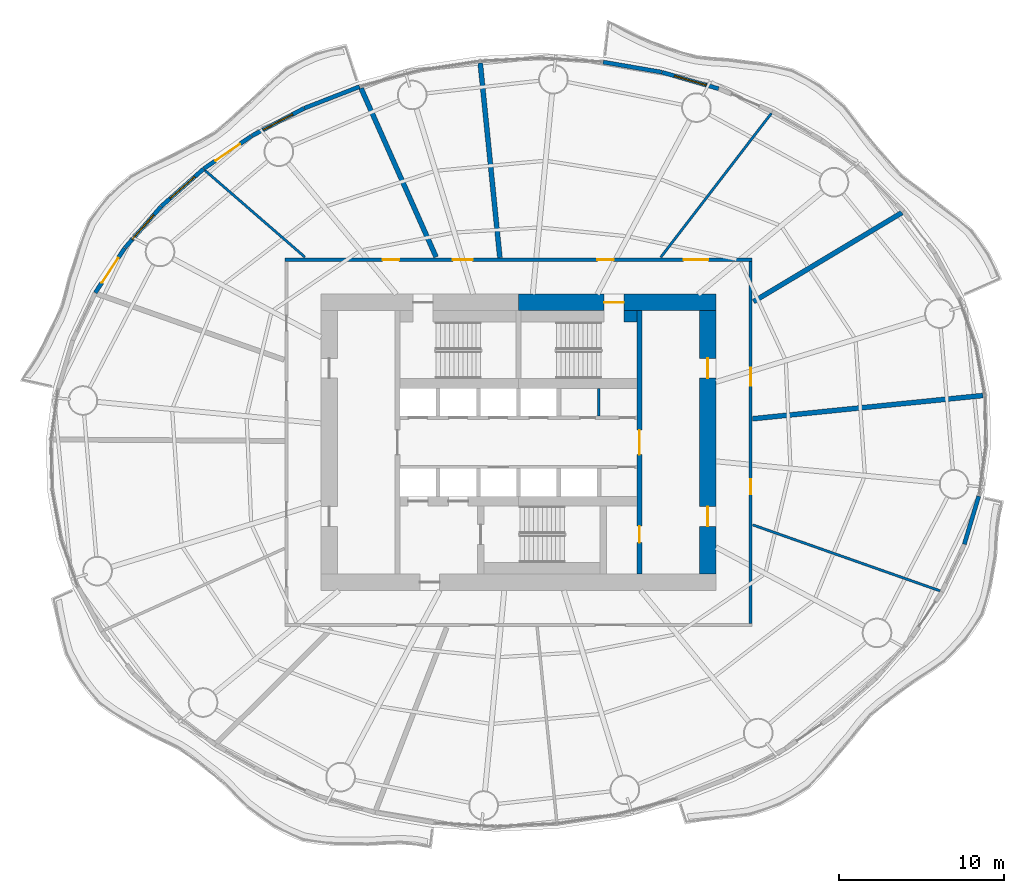
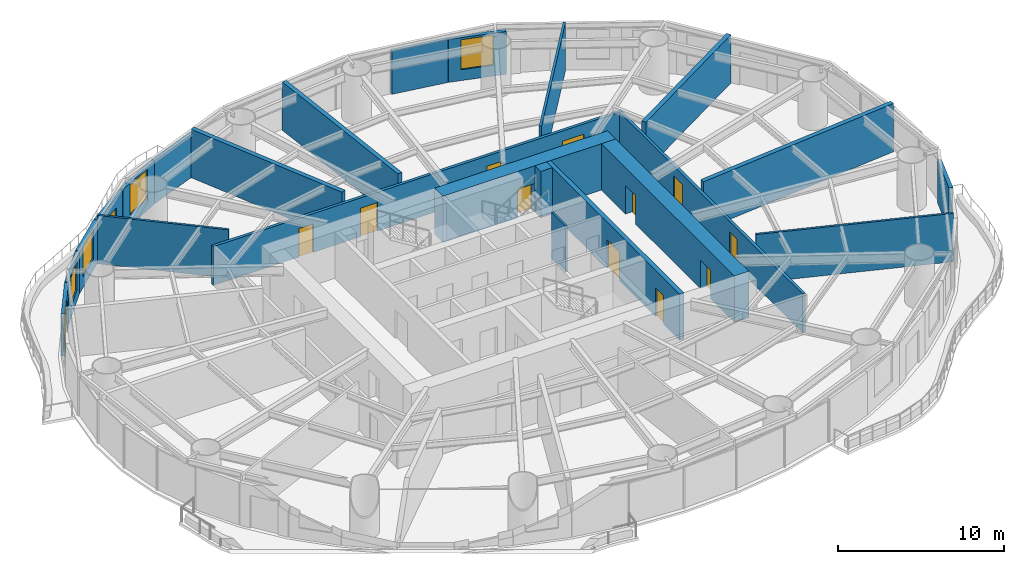
# One storey, part 10 of 16: 23 walls, 13 doors, 4 windows, 17 openings.
"""IFC4 building model written with IfcOpenShell, lengths in metres."""

from ifc_helpers import new_model, si_unit, direction, frame, frame_2d, origin, place, context, subcontext, project, spatial, rectangle, extrude, material, layer, layer_set, type_object, element, fill, save


model = new_model("IFC4")

# Units and contexts
model_context = context("Model", 3, precision=1e-05, world=origin(), true_north=direction((0.0, 1.0)))
body_context = subcontext(model_context, "Body", "Model", "MODEL_VIEW")
ifc_project = project(units=[si_unit("LENGTHUNIT", "METRE"), si_unit("AREAUNIT", "SQUARE_METRE"), si_unit("VOLUMEUNIT", "CUBIC_METRE"), si_unit("PLANEANGLEUNIT", "RADIAN"), si_unit("MASSUNIT", "GRAM", prefix="KILO")], contexts=[model_context])

# Site, building, storey
site_placement = place(None, origin())
site = spatial("IfcSite", under=ifc_project, at=site_placement, CompositionType="ELEMENT")
building_placement = place(site_placement, origin())
building = spatial("IfcBuilding", under=site, at=building_placement, Name="Vermilion Reach Broadcast Tower", CompositionType="ELEMENT")
storey_placement = place(building_placement, frame((0.0, 0.0, 58.199951171875)))
storey = spatial("IfcBuildingStorey", under=building, at=storey_placement, Name="L11", CompositionType="ELEMENT", Elevation=58.199951171875)

# Wall, openings, doors
ifc_material_1 = material(Name="Concrete C70", Category="concrete")
ifc_layer_1 = layer(ifc_material_1, 0.300048828125)
ifc_layer_set_1 = layer_set([ifc_layer_1], Name="Core inner wall 300 mm Concrete C70")
wall_type_1 = type_object("IfcWallType", Name="Core inner wall 300 mm Concrete C70", PredefinedType="SHEAR", material=ifc_layer_set_1)
wall_1_placement = place(storey_placement, frame((1.35009765625, -8.0, 0.0), z_axis=(0.0, 0.0, 1.0), x_axis=(0.0, 1.0, 0.0)))
wall_1 = element("IfcWall", 1, at=wall_1_placement, inside=storey, type_object=wall_type_1, Name="L11 core wall ewE", PredefinedType="SHEAR", context=body_context, shape_type="SweptSolid", body=[
    extrude(rectangle(XDim=16.0, YDim=0.300048828125, at=frame_2d((8.0, 0.0))), origin(), (0.0, 0.0, 1.0), 3.400146484375),
])
opening_1_placement = place(wall_1_placement, frame((1.909912109375, 0.0, 0.0)))
opening_1 = element("IfcOpeningElement", 2, at=opening_1_placement, cuts=wall_1, Name="Opening D05", PredefinedType="OPENING", context=body_context, shape_type="SweptSolid", body=[
    extrude(rectangle(XDim=1.0, YDim=2.10009765625, at=frame_2d((0.5, 1.050048828125))), frame((0.0, 0.159912109375, 0.0), z_axis=(0.0, -1.0, 0.0), x_axis=(1.0, 0.0, 0.0)), (0.0, 0.0, 1.0), 0.320068359375),
])
opening_2_placement = place(wall_1_placement, frame((7.25, 0.0, 0.0)))
opening_2 = element("IfcOpeningElement", 3, at=opening_2_placement, cuts=wall_1, Name="Opening D04", PredefinedType="OPENING", context=body_context, shape_type="SweptSolid", body=[
    extrude(rectangle(XDim=1.5, YDim=2.10009765625, at=frame_2d((0.75, 1.050048828125))), frame((0.0, 0.159912109375, 0.0), z_axis=(0.0, -1.0, 0.0), x_axis=(1.0, 0.0, 0.0)), (0.0, 0.0, 1.0), 0.320068359375),
])
ifc_material_2 = material(Name="Painted steel fire door", Category="steel")
door_type_1 = type_object("IfcDoorType", Name="Lift lobby door 1500 x 2100", OperationType="DOUBLE_DOOR_SINGLE_SWING", PredefinedType="NOTDEFINED", material=ifc_material_2)
door_1_placement = place(opening_2_placement, origin())
door_1 = element("IfcDoor", 4, at=door_1_placement, inside=storey, type_object=door_type_1, Name="L11 band door BE", OperationType="DOUBLE_DOOR_SINGLE_SWING", OverallHeight=2.10009765625, OverallWidth=1.5, PredefinedType="NOTDEFINED", context=body_context, shape_type="SweptSolid", body=[
    extrude(rectangle(XDim=1.5, YDim=2.10009765625, at=frame_2d((0.75, 1.050048828125))), frame((0.0, 0.02490234375, 0.0), z_axis=(0.0, -1.0, 0.0), x_axis=(1.0, 0.0, 0.0)), (0.0, 0.0, 1.0), 0.050048828125),
])
fill(opening_2, door_1)
ifc_material_3 = material(Name="Timber door", Category="wood")
door_type_2 = type_object("IfcDoorType", Name="Room door 1000 x 2100", OperationType="NOTDEFINED", PredefinedType="NOTDEFINED", material=ifc_material_3)
door_2_placement = place(opening_1_placement, origin())
door_2 = element("IfcDoor", 5, at=door_2_placement, inside=storey, type_object=door_type_2, Name="L11 door SER", OperationType="SINGLE_SWING_LEFT", OverallHeight=2.10009765625, OverallWidth=1.0, PredefinedType="NOTDEFINED", context=body_context, shape_type="SweptSolid", body=[
    extrude(rectangle(XDim=1.0, YDim=2.10009765625, at=frame_2d((0.5, 1.050048828125))), frame((0.0, 0.02490234375, 0.0), z_axis=(0.0, -1.0, 0.0), x_axis=(1.0, 0.0, 0.0)), (0.0, 0.0, 1.0), 0.050048828125),
])
fill(opening_1, door_2)

# Wall, opening, door
ifc_material_4 = material(Name="Concrete C70", Category="concrete")
ifc_layer_2 = layer(ifc_material_4, 1.0)
ifc_layer_set_2 = layer_set([ifc_layer_2], Name="Core outer wall 1000 mm Concrete C70")
wall_type_2 = type_object("IfcWallType", Name="Core outer wall 1000 mm Concrete C70", PredefinedType="SHEAR", material=ifc_layer_set_2)
wall_2_placement = place(storey_placement, frame((6.0, 8.5, 0.0), z_axis=(0.0, 0.0, 1.0), x_axis=(-1.0, 0.0, 0.0)))
wall_2 = element("IfcWall", 6, at=wall_2_placement, inside=storey, type_object=wall_type_2, Name="L11 core wall onE", PredefinedType="SHEAR", context=body_context, shape_type="SweptSolid", body=[
    extrude(rectangle(XDim=12.0, YDim=1.0, at=frame_2d((6.0, 0.0))), origin(), (0.0, 0.0, 1.0), 3.400146484375),
])
opening_3_placement = place(wall_2_placement, frame((5.60009765625, 0.0, 0.0)))
opening_3 = element("IfcOpeningElement", 7, at=opening_3_placement, cuts=wall_2, Name="Opening D01", PredefinedType="OPENING", context=body_context, shape_type="SweptSolid", body=[
    extrude(rectangle(XDim=1.199951171875, YDim=2.10009765625, at=frame_2d((0.60009765625, 1.050048828125))), frame((0.0, 0.510009765625, 0.0), z_axis=(0.0, -1.0, 0.0), x_axis=(1.0, 0.0, 0.0)), (0.0, 0.0, 1.0), 1.02001953125),
])
ifc_material_5 = material(Name="Painted steel fire door", Category="steel")
door_type_3 = type_object("IfcDoorType", Name="Stair door 1200 x 2100", OperationType="DOUBLE_DOOR_SINGLE_SWING", PredefinedType="NOTDEFINED", material=ifc_material_5)
door_3_placement = place(opening_3_placement, origin())
door_3 = element("IfcDoor", 8, at=door_3_placement, inside=storey, type_object=door_type_3, Name="L11 stair door ST2", OperationType="DOUBLE_DOOR_SINGLE_SWING", OverallHeight=2.10009765625, OverallWidth=1.199951171875, PredefinedType="NOTDEFINED", context=body_context, shape_type="SweptSolid", body=[
    extrude(rectangle(XDim=1.199951171875, YDim=2.10009765625, at=frame_2d((0.60009765625, 1.050048828125))), frame((0.0, 0.02490234375, 0.0), z_axis=(0.0, -1.0, 0.0), x_axis=(1.0, 0.0, 0.0)), (0.0, 0.0, 1.0), 0.050048828125),
])
fill(opening_3, door_3)

# Wall, openings, doors
wall_3_placement = place(storey_placement, frame((5.5, -8.0, 0.0), z_axis=(0.0, 0.0, 1.0), x_axis=(0.0, 1.0, 0.0)))
wall_3 = element("IfcWall", 9, at=wall_3_placement, inside=storey, type_object=wall_type_2, Name="L11 core wall oe", PredefinedType="SHEAR", context=body_context, shape_type="SweptSolid", body=[
    extrude(rectangle(XDim=16.0, YDim=1.0, at=frame_2d((8.0, 0.0))), origin(), (0.0, 0.0, 1.0), 3.400146484375),
])
opening_4_placement = place(wall_3_placement, frame((2.89990234375, 0.0, 0.0)))
opening_4 = element("IfcOpeningElement", 10, at=opening_4_placement, cuts=wall_3, Name="Opening D03", PredefinedType="OPENING", context=body_context, shape_type="SweptSolid", body=[
    extrude(rectangle(XDim=1.199951171875, YDim=2.10009765625, at=frame_2d((0.60009765625, 1.050048828125))), frame((0.0, 0.510009765625, 0.0), z_axis=(0.0, -1.0, 0.0), x_axis=(1.0, 0.0, 0.0)), (0.0, 0.0, 1.0), 1.02001953125),
])
opening_5_placement = place(wall_3_placement, frame((11.89990234375, 0.0, 0.0)))
opening_5 = element("IfcOpeningElement", 11, at=opening_5_placement, cuts=wall_3, Name="Opening D03", PredefinedType="OPENING", context=body_context, shape_type="SweptSolid", body=[
    extrude(rectangle(XDim=1.199951171875, YDim=2.10009765625, at=frame_2d((0.60009765625, 1.050048828125))), frame((0.0, 0.510009765625, 0.0), z_axis=(0.0, -1.0, 0.0), x_axis=(1.0, 0.0, 0.0)), (0.0, 0.0, 1.0), 1.02001953125),
])
ifc_material_6 = material(Name="Painted steel fire door", Category="steel")
door_type_4 = type_object("IfcDoorType", Name="Core lobby door 1200 x 2100", OperationType="DOUBLE_DOOR_SINGLE_SWING", PredefinedType="NOTDEFINED", material=ifc_material_6)
door_4_placement = place(opening_4_placement, origin())
door_4 = element("IfcDoor", 12, at=door_4_placement, inside=storey, type_object=door_type_4, Name="L11 slot door E0", OperationType="DOUBLE_DOOR_SINGLE_SWING", OverallHeight=2.10009765625, OverallWidth=1.199951171875, PredefinedType="NOTDEFINED", context=body_context, shape_type="SweptSolid", body=[
    extrude(rectangle(XDim=1.199951171875, YDim=2.10009765625, at=frame_2d((0.60009765625, 1.050048828125))), frame((0.0, 0.02490234375, 0.0), z_axis=(0.0, -1.0, 0.0), x_axis=(1.0, 0.0, 0.0)), (0.0, 0.0, 1.0), 0.050048828125),
])
fill(opening_4, door_4)
door_5_placement = place(opening_5_placement, origin())
door_5 = element("IfcDoor", 13, at=door_5_placement, inside=storey, type_object=door_type_4, Name="L11 slot door E1", OperationType="DOUBLE_DOOR_SINGLE_SWING", OverallHeight=2.10009765625, OverallWidth=1.199951171875, PredefinedType="NOTDEFINED", context=body_context, shape_type="SweptSolid", body=[
    extrude(rectangle(XDim=1.199951171875, YDim=2.10009765625, at=frame_2d((0.60009765625, 1.050048828125))), frame((0.0, 0.02490234375, 0.0), z_axis=(0.0, -1.0, 0.0), x_axis=(1.0, 0.0, 0.0)), (0.0, 0.0, 1.0), 0.050048828125),
])
fill(opening_5, door_5)

# Walls
ifc_material_7 = material(Name="Masonry block", Category="masonry")
ifc_layer_3 = layer(ifc_material_7, 0.14990234375)
ifc_layer_set_3 = layer_set([ifc_layer_3], Name="Core partition wall 150 mm Masonry block")
wall_type_3 = type_object("IfcWallType", Name="Core partition wall 150 mm Masonry block", PredefinedType="PARTITIONING", material=ifc_layer_set_3)
wall_4_placement = place(storey_placement, frame((-1.11669921875, 1.60009765625, 0.0), z_axis=(0.0, 0.0, 1.0), x_axis=(0.0, 1.0, 0.0)))
element("IfcWall", 14, at=wall_4_placement, inside=storey, type_object=wall_type_3, Name="L11 core wall prN4883", PredefinedType="PARTITIONING", context=body_context, shape_type="SweptSolid", body=[
    extrude(rectangle(XDim=1.679931640625, YDim=0.14990234375, at=frame_2d((0.83984375, 0.0))), origin(), (0.0, 0.0, 1.0), 3.400146484375),
])
ifc_material_8 = material(Name="Concrete C70", Category="concrete")
ifc_layer_4 = layer(ifc_material_8, 0.699951171875)
ifc_layer_set_4 = layer_set([ifc_layer_4], Name="Core stair wall 700 mm Concrete C70")
wall_type_4 = type_object("IfcWallType", Name="Core stair wall 700 mm Concrete C70", PredefinedType="SHEAR", material=ifc_layer_set_4)
wall_5_placement = place(storey_placement, frame((0.39990234375, 7.64990234375, 0.0), z_axis=(0.0, 0.0, 1.0), x_axis=(1.0, 0.0, 0.0)))
element("IfcWall", 15, at=wall_5_placement, inside=storey, type_object=wall_type_4, Name="L11 core wall l2b", PredefinedType="SHEAR", context=body_context, shape_type="SweptSolid", body=[
    extrude(rectangle(XDim=0.800048828125, YDim=0.699951171875, at=frame_2d((0.39990234375, 0.0))), origin(), (0.0, 0.0, 1.0), 3.400146484375),
])
ifc_material_9 = material(Name="Lightweight concrete block, plastered", Category="concrete")
ifc_layer_5 = layer(ifc_material_9, 0.14990234375)
ifc_layer_set_5 = layer_set([ifc_layer_5], Name="Partition 150 lightweight block")
wall_type_5 = type_object("IfcWallType", Name="Partition 150 lightweight block", PredefinedType="PARTITIONING", material=ifc_layer_set_5)
wall_6_placement = place(storey_placement, frame((9.364501953125, 19.99267578125, 0.0), z_axis=(0.0, 0.0, 1.0), x_axis=(-0.609349200428, -0.792901981293, 0.0)))
element("IfcWall", 16, at=wall_6_placement, inside=storey, type_object=wall_type_5, Name="Partition 11.03", PredefinedType="PARTITIONING", context=body_context, shape_type="SweptSolid", body=[
    extrude(rectangle(XDim=11.03173828125, YDim=0.14990234375, at=frame_2d((5.515869140625, 0.0))), origin(), (0.0, 0.0, 1.0), 3.550048828125),
])
wall_7_placement = place(storey_placement, frame((-25.0478515625, 16.521484375, 0.0), z_axis=(0.0, 0.0, 1.0), x_axis=(0.755432381923, -0.655226614494, 0.0)))
element("IfcWall", 17, at=wall_7_placement, inside=storey, type_object=wall_type_5, Name="Partition 11.06", PredefinedType="PARTITIONING", context=body_context, shape_type="SweptSolid", body=[
    extrude(rectangle(XDim=8.03515625, YDim=0.14990234375, at=frame_2d((4.017578125, 0.0))), origin(), (0.0, 0.0, 1.0), 3.550048828125),
])
wall_8_placement = place(storey_placement, frame((19.61083984375, -9.02197265625, 0.0), z_axis=(0.0, 0.0, 1.0), x_axis=(-0.943187678435, 0.332260444904, 0.0)))
element("IfcWall", 18, at=wall_8_placement, inside=storey, type_object=wall_type_5, Name="Partition 11.13", PredefinedType="PARTITIONING", context=body_context, shape_type="SweptSolid", body=[
    extrude(rectangle(XDim=12.07177734375, YDim=0.14990234375, at=frame_2d((6.035888671875, 0.0))), origin(), (0.0, 0.0, 1.0), 3.550048828125),
])
ifc_material_10 = material(Name="Double-leaf plasterboard on isolated steel stud", Category="steel")
ifc_layer_6 = layer(ifc_material_10, 0.300048828125)
ifc_layer_set_6 = layer_set([ifc_layer_6], Name="Partition 300 acoustic double leaf")
wall_type_6 = type_object("IfcWallType", Name="Partition 300 acoustic double leaf", PredefinedType="PARTITIONING", material=ifc_layer_set_6)
wall_9_placement = place(storey_placement, frame((22.211181640625, 2.845703125, 0.0), z_axis=(0.0, 0.0, 1.0), x_axis=(-0.994950554793, -0.10036629672, 0.0)))
element("IfcWall", 19, at=wall_9_placement, inside=storey, type_object=wall_type_6, Name="Partition 11.01", PredefinedType="PARTITIONING", context=body_context, shape_type="SweptSolid", body=[
    extrude(rectangle(XDim=14.067138671875, YDim=0.300048828125, at=frame_2d((7.03369140625, 0.0))), origin(), (0.0, 0.0, 1.0), 3.550048828125),
])
wall_10_placement = place(storey_placement, frame((17.293212890625, 13.954833984375, 0.0), z_axis=(0.0, 0.0, 1.0), x_axis=(-0.857841161712, -0.513914916375, 0.0)))
element("IfcWall", 20, at=wall_10_placement, inside=storey, type_object=wall_type_6, Name="Partition 11.02", PredefinedType="PARTITIONING", context=body_context, shape_type="SweptSolid", body=[
    extrude(rectangle(XDim=10.51025390625, YDim=0.300048828125, at=frame_2d((5.255126953125, 0.0))), origin(), (0.0, 0.0, 1.0), 3.550048828125),
])
wall_11_placement = place(storey_placement, frame((-8.32421875, 23.041015625, 0.0), z_axis=(0.0, 0.0, 1.0), x_axis=(0.100359866634, -0.994951203411, 0.0)))
element("IfcWall", 21, at=wall_11_placement, inside=storey, type_object=wall_type_6, Name="Partition 11.04", PredefinedType="PARTITIONING", context=body_context, shape_type="SweptSolid", body=[
    extrude(rectangle(XDim=11.885986328125, YDim=0.300048828125, at=frame_2d((5.94287109375, 0.0))), origin(), (0.0, 0.0, 1.0), 3.550048828125),
])
wall_12_placement = place(storey_placement, frame((-15.56494140625, 21.512939453125, 0.0), z_axis=(0.0, 0.0, 1.0), x_axis=(0.40628180816, -0.913747827553, 0.0)))
element("IfcWall", 22, at=wall_12_placement, inside=storey, type_object=wall_type_6, Name="Partition 11.05", PredefinedType="PARTITIONING", context=body_context, shape_type="SweptSolid", body=[
    extrude(rectangle(XDim=11.2197265625, YDim=0.300048828125, at=frame_2d((5.60986328125, 0.0))), origin(), (0.0, 0.0, 1.0), 3.550048828125),
])

# Wall, opening, window
ifc_material_11 = material(Name="Terracotta rainscreen cladding", Category="masonry")
ifc_layer_7 = layer(ifc_material_11, 0.25)
ifc_layer_set_7 = layer_set([ifc_layer_7], Name="Terracotta rainscreen wall 250")
wall_type_7 = type_object("IfcWallType", Name="Terracotta rainscreen wall 250", PredefinedType="SOLIDWALL", material=ifc_layer_set_7)
wall_13_placement = place(storey_placement, frame((6.156005859375, 21.48486328125, 0.0), z_axis=(0.0, 0.0, 1.0), x_axis=(-0.960066333869, 0.279772469287, 0.0)))
wall_13 = element("IfcWall", 23, at=wall_13_placement, inside=storey, type_object=wall_type_7, Name="External wall L11 08", PredefinedType="SOLIDWALL", context=body_context, shape_type="SweptSolid", body=[
    extrude(rectangle(XDim=3.584716796875, YDim=0.25, at=frame_2d((1.79248046875, 0.0))), origin(), (0.0, 0.0, 1.0), 3.150146484375),
])
opening_6_placement = place(wall_13_placement, frame((0.79248046875, 0.0, 0.800048828125)))
opening_6 = element("IfcOpeningElement", 24, at=opening_6_placement, cuts=wall_13, Name="Opening W01", PredefinedType="OPENING", context=body_context, shape_type="SweptSolid", body=[
    extrude(rectangle(XDim=2.0, YDim=2.199951171875, at=frame_2d((1.0, 1.10009765625))), frame((0.0, 0.135009765625, 0.0), z_axis=(0.0, -1.0, 0.0), x_axis=(1.0, 0.0, 0.0)), (0.0, 0.0, 1.0), 0.27001953125),
])
ifc_material_12 = material(Name="Low-e laminated clear glass in aluminium frame", Category="aluminium")
window_type = type_object("IfcWindowType", Name="Punched window 2000 x 2200 sill 800", PartitioningType="SINGLE_PANEL", PredefinedType="WINDOW", material=ifc_material_12)
window_1_placement = place(opening_6_placement, origin())
window_1 = element("IfcWindow", 25, at=window_1_placement, inside=storey, type_object=window_type, Name="Window L11 08", OverallHeight=2.199951171875, OverallWidth=2.0, PartitioningType="SINGLE_PANEL", PredefinedType="WINDOW", context=body_context, shape_type="SweptSolid", body=[
    extrude(rectangle(XDim=2.0, YDim=2.199951171875, at=frame_2d((1.0, 1.10009765625))), frame((0.0, 0.030029296875, 0.0), z_axis=(0.0, -1.0, 0.0), x_axis=(1.0, 0.0, 0.0)), (0.0, 0.0, 1.0), 0.06005859375),
])
fill(opening_6, window_1)

# Walls
wall_14_placement = place(storey_placement, frame((2.692626953125, 22.49267578125, 0.0), z_axis=(0.0, 0.0, 1.0), x_axis=(-0.985456592012, 0.169927352892, 0.0)))
element("IfcWall", 26, at=wall_14_placement, inside=storey, type_object=wall_type_7, Name="External wall L11 09", PredefinedType="SOLIDWALL", context=body_context, shape_type="SweptSolid", body=[
    extrude(rectangle(XDim=3.600341796875, YDim=0.25, at=frame_2d((1.80029296875, 0.0))), origin(), (0.0, 0.0, 1.0), 3.150146484375),
])
wall_15_placement = place(storey_placement, frame((-15.655029296875, 21.61181640625, 0.0), z_axis=(0.0, 0.0, 1.0), x_axis=(-0.931645373633, -0.363368817853, 0.0)))
element("IfcWall", 27, at=wall_15_placement, inside=storey, type_object=wall_type_7, Name="External wall L11 14", PredefinedType="SOLIDWALL", context=body_context, shape_type="SweptSolid", body=[
    extrude(rectangle(XDim=3.6005859375, YDim=0.25, at=frame_2d((1.80029296875, 0.0))), origin(), (0.0, 0.0, 1.0), 3.150146484375),
])

# Wall, opening, window
wall_16_placement = place(storey_placement, frame((-19.02978515625, 20.29443359375, 0.0), z_axis=(0.0, 0.0, 1.0), x_axis=(-0.884873899138, -0.465830637274, 0.0)))
wall_16 = element("IfcWall", 28, at=wall_16_placement, inside=storey, type_object=wall_type_7, Name="External wall L11 15", PredefinedType="SOLIDWALL", context=body_context, shape_type="SweptSolid", body=[
    extrude(rectangle(XDim=3.584716796875, YDim=0.25, at=frame_2d((1.79248046875, 0.0))), origin(), (0.0, 0.0, 1.0), 3.150146484375),
])
opening_7_placement = place(wall_16_placement, frame((0.79248046875, 0.0, 0.800048828125)))
opening_7 = element("IfcOpeningElement", 29, at=opening_7_placement, cuts=wall_16, Name="Opening W01", PredefinedType="OPENING", context=body_context, shape_type="SweptSolid", body=[
    extrude(rectangle(XDim=2.0, YDim=2.199951171875, at=frame_2d((1.0, 1.10009765625))), frame((0.0, 0.135009765625, 0.0), z_axis=(0.0, -1.0, 0.0), x_axis=(1.0, 0.0, 0.0)), (0.0, 0.0, 1.0), 0.27001953125),
])
window_2_placement = place(opening_7_placement, origin())
window_2 = element("IfcWindow", 30, at=window_2_placement, inside=storey, type_object=window_type, Name="Window L11 15", OverallHeight=2.199951171875, OverallWidth=2.0, PartitioningType="SINGLE_PANEL", PredefinedType="WINDOW", context=body_context, shape_type="SweptSolid", body=[
    extrude(rectangle(XDim=2.0, YDim=2.199951171875, at=frame_2d((1.0, 1.10009765625))), frame((0.0, 0.030029296875, 0.0), z_axis=(0.0, -1.0, 0.0), x_axis=(1.0, 0.0, 0.0)), (0.0, 0.0, 1.0), 0.06005859375),
])
fill(opening_7, window_2)

# Wall, opening, door
wall_17_placement = place(storey_placement, frame((-22.22119140625, 18.61279296875, 0.0), z_axis=(0.0, 0.0, 1.0), x_axis=(-0.824494262273, -0.565870313304, 0.0)))
wall_17 = element("IfcWall", 31, at=wall_17_placement, inside=storey, type_object=wall_type_7, Name="External wall L11 16", PredefinedType="SOLIDWALL", context=body_context, shape_type="SweptSolid", body=[
    extrude(rectangle(XDim=3.509765625, YDim=0.25, at=frame_2d((1.7548828125, 0.0))), origin(), (0.0, 0.0, 1.0), 3.150146484375),
])
opening_8_placement = place(wall_17_placement, frame((0.85498046875, 0.0, 0.0)))
opening_8 = element("IfcOpeningElement", 32, at=opening_8_placement, cuts=wall_17, Name="Opening D70", PredefinedType="OPENING", context=body_context, shape_type="SweptSolid", body=[
    extrude(rectangle(XDim=1.800048828125, YDim=2.39990234375, at=frame_2d((0.89990234375, 1.199951171875))), frame((0.0, 0.135009765625, 0.0), z_axis=(0.0, -1.0, 0.0), x_axis=(1.0, 0.0, 0.0)), (0.0, 0.0, 1.0), 0.27001953125),
])
ifc_material_13 = material(Name="Low-e laminated clear glass in aluminium frame", Category="aluminium")
door_type_5 = type_object("IfcDoorType", Name="Balcony sliding door 1800 x 2400", OperationType="DOUBLE_DOOR_SLIDING", PredefinedType="DOOR", material=ifc_material_13)
door_6_placement = place(opening_8_placement, origin())
door_6 = element("IfcDoor", 33, at=door_6_placement, inside=storey, type_object=door_type_5, Name="Balcony door L11 run 04", OperationType="DOUBLE_DOOR_SLIDING", OverallHeight=2.39990234375, OverallWidth=1.800048828125, PredefinedType="DOOR", context=body_context, shape_type="SweptSolid", body=[
    extrude(rectangle(XDim=1.800048828125, YDim=2.39990234375, at=frame_2d((0.89990234375, 1.199951171875))), frame((0.0, 0.02490234375, 0.0), z_axis=(0.0, -1.0, 0.0), x_axis=(1.0, 0.0, 0.0)), (0.0, 0.0, 1.0), 0.050048828125),
])
fill(opening_8, door_6)

# Wall, opening, window
wall_18_placement = place(storey_placement, frame((-25.13330078125, 16.612548828125, 0.0), z_axis=(0.0, 0.0, 1.0), x_axis=(-0.749392432233, -0.662126107711, 0.0)))
wall_18 = element("IfcWall", 34, at=wall_18_placement, inside=storey, type_object=wall_type_7, Name="External wall L11 17", PredefinedType="SOLIDWALL", context=body_context, shape_type="SweptSolid", body=[
    extrude(rectangle(XDim=3.42431640625, YDim=0.25, at=frame_2d((1.712158203125, 0.0))), origin(), (0.0, 0.0, 1.0), 3.150146484375),
])
opening_9_placement = place(wall_18_placement, frame((0.712158203125, 0.0, 0.800048828125)))
opening_9 = element("IfcOpeningElement", 35, at=opening_9_placement, cuts=wall_18, Name="Opening W01", PredefinedType="OPENING", context=body_context, shape_type="SweptSolid", body=[
    extrude(rectangle(XDim=2.0, YDim=2.199951171875, at=frame_2d((1.0, 1.10009765625))), frame((0.0, 0.135009765625, 0.0), z_axis=(0.0, -1.0, 0.0), x_axis=(1.0, 0.0, 0.0)), (0.0, 0.0, 1.0), 0.27001953125),
])
window_3_placement = place(opening_9_placement, origin())
window_3 = element("IfcWindow", 36, at=window_3_placement, inside=storey, type_object=window_type, Name="Window L11 17", OverallHeight=2.199951171875, OverallWidth=2.0, PartitioningType="SINGLE_PANEL", PredefinedType="WINDOW", context=body_context, shape_type="SweptSolid", body=[
    extrude(rectangle(XDim=2.0, YDim=2.199951171875, at=frame_2d((1.0, 1.10009765625))), frame((0.0, 0.030029296875, 0.0), z_axis=(0.0, -1.0, 0.0), x_axis=(1.0, 0.0, 0.0)), (0.0, 0.0, 1.0), 0.06005859375),
])
fill(opening_9, window_3)

wall_19_placement = place(storey_placement, frame((-27.71630859375, 14.328369140625, 0.0), z_axis=(0.0, 0.0, 1.0), x_axis=(-0.65843719002, -0.752635679993, 0.0)))
wall_19 = element("IfcWall", 37, at=wall_19_placement, inside=storey, type_object=wall_type_7, Name="External wall L11 18", PredefinedType="SOLIDWALL", context=body_context, shape_type="SweptSolid", body=[
    extrude(rectangle(XDim=3.3330078125, YDim=0.25, at=frame_2d((1.66650390625, 0.0))), origin(), (0.0, 0.0, 1.0), 3.150146484375),
])
opening_10_placement = place(wall_19_placement, frame((0.66650390625, 0.0, 0.800048828125)))
opening_10 = element("IfcOpeningElement", 38, at=opening_10_placement, cuts=wall_19, Name="Opening W01", PredefinedType="OPENING", context=body_context, shape_type="SweptSolid", body=[
    extrude(rectangle(XDim=2.0, YDim=2.199951171875, at=frame_2d((1.0, 1.10009765625))), frame((0.0, 0.135009765625, 0.0), z_axis=(0.0, -1.0, 0.0), x_axis=(1.0, 0.0, 0.0)), (0.0, 0.0, 1.0), 0.27001953125),
])
window_4_placement = place(opening_10_placement, origin())
window_4 = element("IfcWindow", 39, at=window_4_placement, inside=storey, type_object=window_type, Name="Window L11 18", OverallHeight=2.199951171875, OverallWidth=2.0, PartitioningType="SINGLE_PANEL", PredefinedType="WINDOW", context=body_context, shape_type="SweptSolid", body=[
    extrude(rectangle(XDim=2.0, YDim=2.199951171875, at=frame_2d((1.0, 1.10009765625))), frame((0.0, 0.030029296875, 0.0), z_axis=(0.0, -1.0, 0.0), x_axis=(1.0, 0.0, 0.0)), (0.0, 0.0, 1.0), 0.06005859375),
])
fill(opening_10, window_4)

# Wall, opening, door
wall_20_placement = place(storey_placement, frame((-29.926025390625, 11.800048828125, 0.0), z_axis=(0.0, 0.0, 1.0), x_axis=(-0.550976461362, -0.834520784058, 0.0)))
wall_20 = element("IfcWall", 40, at=wall_20_placement, inside=storey, type_object=wall_type_7, Name="External wall L11 19", PredefinedType="SOLIDWALL", context=body_context, shape_type="SweptSolid", body=[
    extrude(rectangle(XDim=3.24267578125, YDim=0.25, at=frame_2d((1.621337890625, 0.0))), origin(), (0.0, 0.0, 1.0), 3.150146484375),
])
opening_11_placement = place(wall_20_placement, frame((0.720947265625, 0.0, 0.0)))
opening_11 = element("IfcOpeningElement", 41, at=opening_11_placement, cuts=wall_20, Name="Opening D70", PredefinedType="OPENING", context=body_context, shape_type="SweptSolid", body=[
    extrude(rectangle(XDim=1.800048828125, YDim=2.39990234375, at=frame_2d((0.89990234375, 1.199951171875))), frame((0.0, 0.135009765625, 0.0), z_axis=(0.0, -1.0, 0.0), x_axis=(1.0, 0.0, 0.0)), (0.0, 0.0, 1.0), 0.27001953125),
])
door_7_placement = place(opening_11_placement, origin())
door_7 = element("IfcDoor", 42, at=door_7_placement, inside=storey, type_object=door_type_5, Name="Balcony door L11 run 05", OperationType="DOUBLE_DOOR_SLIDING", OverallHeight=2.39990234375, OverallWidth=1.800048828125, PredefinedType="DOOR", context=body_context, shape_type="SweptSolid", body=[
    extrude(rectangle(XDim=1.800048828125, YDim=2.39990234375, at=frame_2d((0.89990234375, 1.199951171875))), frame((0.0, 0.02490234375, 0.0), z_axis=(0.0, -1.0, 0.0), x_axis=(1.0, 0.0, 0.0)), (0.0, 0.0, 1.0), 0.050048828125),
])
fill(opening_11, door_7)

# Wall
wall_21_placement = place(storey_placement, frame((21.083984375, -6.190185546875, 0.0), z_axis=(0.0, 0.0, 1.0), x_axis=(0.28804594388, 0.957616590403, 0.0)))
element("IfcWall", 43, at=wall_21_placement, inside=storey, type_object=wall_type_7, Name="External wall L11 45", PredefinedType="SOLIDWALL", context=body_context, shape_type="SweptSolid", body=[
    extrude(rectangle(XDim=3.0478515625, YDim=0.25, at=frame_2d((1.52392578125, 0.0))), origin(), (0.0, 0.0, 1.0), 3.150146484375),
])

# Wall, openings, doors
ifc_material_14 = material(Name="Fire-rated gypsum board partition")
ifc_layer_8 = layer(ifc_material_14, 0.199951171875)
ifc_layer_set_8 = layer_set([ifc_layer_8], Name="Under girder: Corridor wall 200 fire-rated")
wall_type_8 = type_object("IfcWallType", Name="Under girder: Corridor wall 200 fire-rated", PredefinedType="PARTITIONING", material=ifc_layer_set_8)
wall_22_placement = place(storey_placement, frame((-20.199951171875, 11.10009765625, 0.0), z_axis=(0.0, 0.0, 1.0), x_axis=(1.0, 0.0, 0.0)))
wall_22 = element("IfcWall", 44, at=wall_22_placement, inside=storey, type_object=wall_type_8, Name="Corridor wall 11.N", PredefinedType="PARTITIONING", context=body_context, shape_type="SweptSolid", body=[
    extrude(rectangle(XDim=28.39990234375, YDim=0.199951171875, at=frame_2d((14.199951171875, 0.0))), origin(), (0.0, 0.0, 1.0), 2.85009765625),
])
opening_12_placement = place(wall_22_placement, frame((24.235107421875, 0.0, 0.0)))
opening_12 = element("IfcOpeningElement", 45, at=opening_12_placement, cuts=wall_22, Name="Opening D24", PredefinedType="OPENING", context=body_context, shape_type="SweptSolid", body=[
    extrude(rectangle(XDim=1.5, YDim=2.10009765625, at=frame_2d((0.75, 1.050048828125))), frame((0.0, 0.10986328125, 0.0), z_axis=(0.0, -1.0, 0.0), x_axis=(1.0, 0.0, 0.0)), (0.0, 0.0, 1.0), 0.219970703125),
])
opening_13_placement = place(wall_22_placement, frame((18.986083984375, 0.0, 0.0)))
opening_13 = element("IfcOpeningElement", 46, at=opening_13_placement, cuts=wall_22, Name="Opening D20", PredefinedType="OPENING", context=body_context, shape_type="SweptSolid", body=[
    extrude(rectangle(XDim=1.0, YDim=2.10009765625, at=frame_2d((0.5, 1.050048828125))), frame((0.0, 0.10986328125, 0.0), z_axis=(0.0, -1.0, 0.0), x_axis=(1.0, 0.0, 0.0)), (0.0, 0.0, 1.0), 0.219970703125),
])
opening_14_placement = place(wall_22_placement, frame((10.21533203125, 0.0, 0.0)))
opening_14 = element("IfcOpeningElement", 47, at=opening_14_placement, cuts=wall_22, Name="Opening D26", PredefinedType="OPENING", context=body_context, shape_type="SweptSolid", body=[
    extrude(rectangle(XDim=1.199951171875, YDim=2.10009765625, at=frame_2d((0.60009765625, 1.050048828125))), frame((0.0, 0.10986328125, 0.0), z_axis=(0.0, -1.0, 0.0), x_axis=(1.0, 0.0, 0.0)), (0.0, 0.0, 1.0), 0.219970703125),
])
opening_15_placement = place(wall_22_placement, frame((5.9404296875, 0.0, 0.0)))
opening_15 = element("IfcOpeningElement", 48, at=opening_15_placement, cuts=wall_22, Name="Opening D20", PredefinedType="OPENING", context=body_context, shape_type="SweptSolid", body=[
    extrude(rectangle(XDim=1.0, YDim=2.10009765625, at=frame_2d((0.5, 1.050048828125))), frame((0.0, 0.10986328125, 0.0), z_axis=(0.0, -1.0, 0.0), x_axis=(1.0, 0.0, 0.0)), (0.0, 0.0, 1.0), 0.219970703125),
])
ifc_material_15 = material(Name="Timber door leaf", Category="wood")
door_type_6 = type_object("IfcDoorType", Name="Door pair 1500x2100", OperationType="NOTDEFINED", PredefinedType="DOOR", material=ifc_material_15)
door_8_placement = place(opening_12_placement, origin())
door_8 = element("IfcDoor", 49, at=door_8_placement, inside=storey, type_object=door_type_6, Name="Door 11.02", OperationType="DOUBLE_DOOR_SINGLE_SWING", OverallHeight=2.10009765625, OverallWidth=1.5, PredefinedType="DOOR", context=body_context, shape_type="SweptSolid", body=[
    extrude(rectangle(XDim=1.5, YDim=2.10009765625, at=frame_2d((0.75, 1.050048828125))), frame((0.0, 0.02490234375, 0.0), z_axis=(0.0, -1.0, 0.0), x_axis=(1.0, 0.0, 0.0)), (0.0, 0.0, 1.0), 0.050048828125),
])
fill(opening_12, door_8)
ifc_material_16 = material(Name="Timber door leaf", Category="wood")
door_type_7 = type_object("IfcDoorType", Name="Door single 1000x2100", OperationType="NOTDEFINED", PredefinedType="DOOR", material=ifc_material_16)
door_9_placement = place(opening_13_placement, origin())
door_9 = element("IfcDoor", 50, at=door_9_placement, inside=storey, type_object=door_type_7, Name="Door 11.03", OperationType="SINGLE_SWING_RIGHT", OverallHeight=2.10009765625, OverallWidth=1.0, PredefinedType="DOOR", context=body_context, shape_type="SweptSolid", body=[
    extrude(rectangle(XDim=1.0, YDim=2.10009765625, at=frame_2d((0.5, 1.050048828125))), frame((0.0, 0.02490234375, 0.0), z_axis=(0.0, -1.0, 0.0), x_axis=(1.0, 0.0, 0.0)), (0.0, 0.0, 1.0), 0.050048828125),
])
fill(opening_13, door_9)
door_10_placement = place(opening_15_placement, origin())
door_10 = element("IfcDoor", 51, at=door_10_placement, inside=storey, type_object=door_type_7, Name="Door 11.05", OperationType="SINGLE_SWING_RIGHT", OverallHeight=2.10009765625, OverallWidth=1.0, PredefinedType="DOOR", context=body_context, shape_type="SweptSolid", body=[
    extrude(rectangle(XDim=1.0, YDim=2.10009765625, at=frame_2d((0.5, 1.050048828125))), frame((0.0, 0.02490234375, 0.0), z_axis=(0.0, -1.0, 0.0), x_axis=(1.0, 0.0, 0.0)), (0.0, 0.0, 1.0), 0.050048828125),
])
fill(opening_15, door_10)
ifc_material_17 = material(Name="Acoustic timber door leaf", Category="wood")
door_type_8 = type_object("IfcDoorType", Name="Door single 1200x2100", OperationType="NOTDEFINED", PredefinedType="DOOR", material=ifc_material_17)
door_11_placement = place(opening_14_placement, origin())
door_11 = element("IfcDoor", 52, at=door_11_placement, inside=storey, type_object=door_type_8, Name="Door 11.04", OperationType="SINGLE_SWING_LEFT", OverallHeight=2.10009765625, OverallWidth=1.199951171875, PredefinedType="DOOR", context=body_context, shape_type="SweptSolid", body=[
    extrude(rectangle(XDim=1.199951171875, YDim=2.10009765625, at=frame_2d((0.60009765625, 1.050048828125))), frame((0.0, 0.02490234375, 0.0), z_axis=(0.0, -1.0, 0.0), x_axis=(1.0, 0.0, 0.0)), (0.0, 0.0, 1.0), 0.050048828125),
])
fill(opening_14, door_11)

wall_23_placement = place(storey_placement, frame((8.10009765625, 11.0, 0.0), z_axis=(0.0, 0.0, 1.0), x_axis=(0.0, -1.0, 0.0)))
wall_23 = element("IfcWall", 53, at=wall_23_placement, inside=storey, type_object=wall_type_8, Name="Corridor wall 11.E", PredefinedType="PARTITIONING", context=body_context, shape_type="SweptSolid", body=[
    extrude(rectangle(XDim=22.0, YDim=0.199951171875, at=frame_2d((11.0, 0.0))), origin(), (0.0, 0.0, 1.0), 2.85009765625),
])
opening_16_placement = place(wall_23_placement, frame((6.47509765625, 0.0, 0.0)))
opening_16 = element("IfcOpeningElement", 54, at=opening_16_placement, cuts=wall_23, Name="Opening D28", PredefinedType="OPENING", context=body_context, shape_type="SweptSolid", body=[
    extrude(rectangle(XDim=1.10009765625, YDim=2.10009765625, at=frame_2d((0.550048828125, 1.050048828125))), frame((0.0, 0.10986328125, 0.0), z_axis=(0.0, -1.0, 0.0), x_axis=(1.0, 0.0, 0.0)), (0.0, 0.0, 1.0), 0.219970703125),
])
opening_17_placement = place(wall_23_placement, frame((13.241943359375, 0.0, 0.0)))
opening_17 = element("IfcOpeningElement", 55, at=opening_17_placement, cuts=wall_23, Name="Opening D22", PredefinedType="OPENING", context=body_context, shape_type="SweptSolid", body=[
    extrude(rectangle(XDim=0.89990234375, YDim=2.10009765625, at=frame_2d((0.449951171875, 1.050048828125))), frame((0.0, 0.10986328125, 0.0), z_axis=(0.0, -1.0, 0.0), x_axis=(1.0, 0.0, 0.0)), (0.0, 0.0, 1.0), 0.219970703125),
])
ifc_material_18 = material(Name="Acoustic sound-lock door leaf")
door_type_9 = type_object("IfcDoorType", Name="Door single 1100x2100", OperationType="NOTDEFINED", PredefinedType="DOOR", material=ifc_material_18)
door_12_placement = place(opening_16_placement, origin())
door_12 = element("IfcDoor", 56, at=door_12_placement, inside=storey, type_object=door_type_9, Name="Door 11.01", OperationType="SINGLE_SWING_RIGHT", OverallHeight=2.10009765625, OverallWidth=1.10009765625, PredefinedType="DOOR", context=body_context, shape_type="SweptSolid", body=[
    extrude(rectangle(XDim=1.10009765625, YDim=2.10009765625, at=frame_2d((0.550048828125, 1.050048828125))), frame((0.0, 0.02490234375, 0.0), z_axis=(0.0, -1.0, 0.0), x_axis=(1.0, 0.0, 0.0)), (0.0, 0.0, 1.0), 0.050048828125),
])
fill(opening_16, door_12)
ifc_material_19 = material(Name="Timber door leaf", Category="wood")
door_type_10 = type_object("IfcDoorType", Name="Door single 900x2100", OperationType="NOTDEFINED", PredefinedType="DOOR", material=ifc_material_19)
door_13_placement = place(opening_17_placement, origin())
door_13 = element("IfcDoor", 57, at=door_13_placement, inside=storey, type_object=door_type_10, Name="Door 11.13", OperationType="SINGLE_SWING_RIGHT", OverallHeight=2.10009765625, OverallWidth=0.89990234375, PredefinedType="DOOR", context=body_context, shape_type="SweptSolid", body=[
    extrude(rectangle(XDim=0.89990234375, YDim=2.10009765625, at=frame_2d((0.449951171875, 1.050048828125))), frame((0.0, 0.02490234375, 0.0), z_axis=(0.0, -1.0, 0.0), x_axis=(1.0, 0.0, 0.0)), (0.0, 0.0, 1.0), 0.050048828125),
])
fill(opening_17, door_13)

save(model, "model.ifc")
